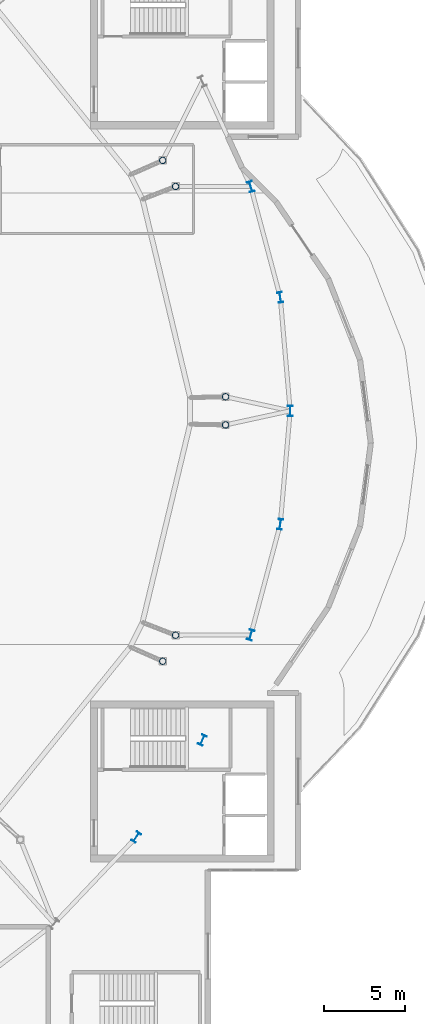
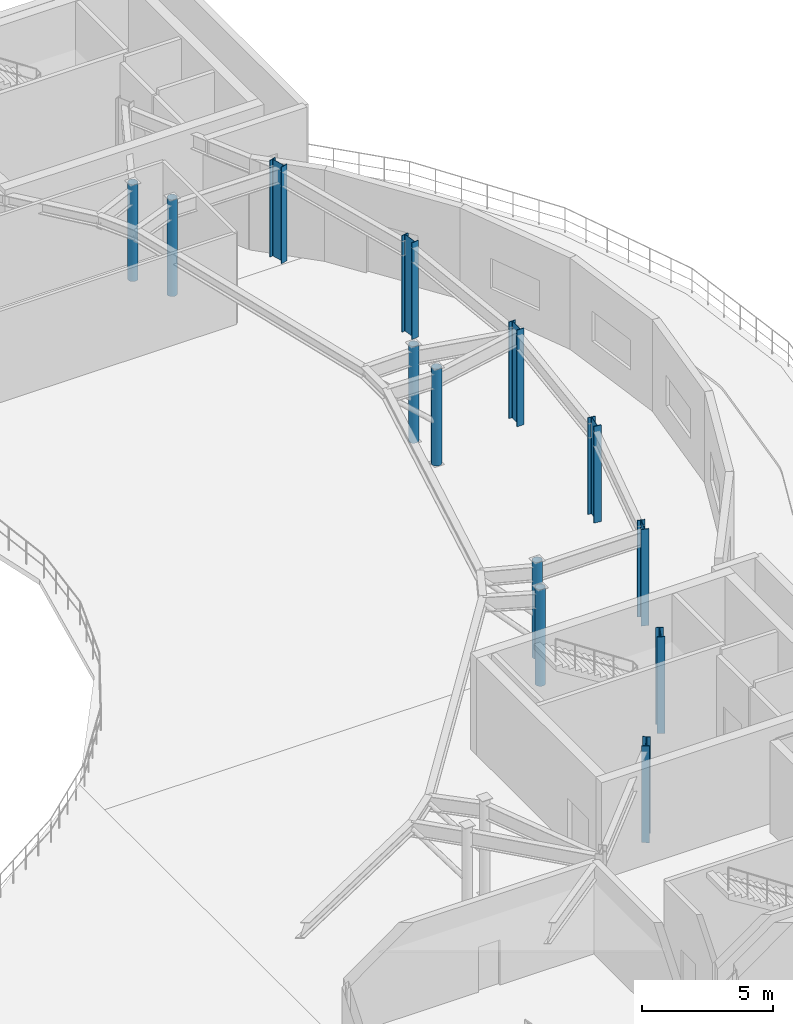
# One storey, part 11 of 48: 13 columns.
"""IFC4 building model written with IfcOpenShell, lengths in metres."""

from ifc_helpers import new_model, si_unit, direction, frame, origin, origin_2d, place, context, subcontext, project, spatial, hollow_circle, i_section, extrude, material, material_profile, profile_set, type_object, element, save


model = new_model("IFC4")

# Units and contexts
model_context = context("Model", 3, precision=1e-05, world=origin(), true_north=direction((0.0, 1.0)))
body_context = subcontext(model_context, "Body", "Model", "MODEL_VIEW")
ifc_project = project(units=[si_unit("LENGTHUNIT", "METRE"), si_unit("AREAUNIT", "SQUARE_METRE"), si_unit("VOLUMEUNIT", "CUBIC_METRE"), si_unit("PLANEANGLEUNIT", "RADIAN"), si_unit("MASSUNIT", "GRAM", prefix="KILO")], contexts=[model_context])

# Site, building, storey
site_placement = place(None, origin())
site = spatial("IfcSite", under=ifc_project, at=site_placement, CompositionType="ELEMENT")
building_placement = place(site_placement, origin())
building = spatial("IfcBuilding", under=site, at=building_placement, Name="Glasvene Arena", CompositionType="ELEMENT")
storey_placement = place(building_placement, frame((0.0, 0.0, 19.5)))
storey = spatial("IfcBuildingStorey", under=building, at=storey_placement, Name="L04", CompositionType="ELEMENT", Elevation=19.5)

# Columns
ifc_material = material(Name="Steel S355J2", Category="steel")
ifc_material_profile_1 = material_profile(ifc_material, i_section(OverallWidth=0.300048828125, OverallDepth=0.64990234375, WebThickness=0.01611328125, FlangeThickness=0.031005859375, FilletRadius=0.027099609375, at=origin_2d()), Name="HEB 650")
ifc_profile_set_1 = profile_set([ifc_material_profile_1], Name="Steel S355J2")
column_type_1 = type_object("IfcColumnType", Name="COL-RING-HEB650", PredefinedType="COLUMN", material=ifc_profile_set_1)
for number, where, z_axis, x_axis, name in (
    (1, (142.0, 73.0, 0.0), (0.0, 0.0, 1.0), (1.0, 0.0, 0.0), "Bowl ring column R01 L04"),
    (2, (141.384521484375, 80.03955078125, 0.0), (0.0, 0.0, 1.0), (0.989999050734, 0.141074021516, 0.0), "Bowl ring column R02 L04"),
    (3, (139.552734375, 86.90576171875, 0.0), (0.0, 0.0, 1.0), (0.959805291975, 0.280666708921, 0.0), "Bowl ring column R03 L04"),
    (4, (132.45068359375, 46.5498046875, 0.0), (0.0, 0.0, 1.0), (0.836955398099, -0.547271104292, 0.0), "Bowl ring column R37 L04"),
    (5, (136.55029296875, 52.5703125, 0.0), (0.0, 0.0, 1.0), (0.909018020308, -0.416756810089, 0.0), "Bowl ring column R38 L04"),
    (6, (139.552734375, 59.09423828125, 0.0), (0.0, 0.0, 1.0), (0.959805291975, -0.280666708921, 0.0), "Bowl ring column R39 L04"),
    (7, (141.384521484375, 65.96044921875, 0.0), (0.0, 0.0, 1.0), (0.989999050734, -0.141074021516, 0.0), "Bowl ring column R40 L04"),
):
    element("IfcColumn", number, at=place(storey_placement, frame(where, z_axis=z_axis, x_axis=x_axis)), inside=storey, type_object=column_type_1, Name=name, PredefinedType="COLUMN", context=body_context, shape_type="SweptSolid", body=[
        extrude(i_section(OverallWidth=0.300048828125, OverallDepth=0.64990234375, WebThickness=0.01611328125, FlangeThickness=0.031005859375, FilletRadius=0.027099609375, at=origin_2d()), origin(), (0.0, 0.0, 1.0), 4.5),
    ])
ifc_material_profile_2 = material_profile(ifc_material, hollow_circle(Radius=0.203125, WallThickness=0.01611328125, at=origin_2d()), Name="CHS 406.4x16.0")
ifc_profile_set_2 = profile_set([ifc_material_profile_2], Name="Steel S355J2")
column_type_2 = type_object("IfcColumnType", Name="COL-W-CHS406", PredefinedType="COLUMN", material=ifc_profile_set_2)
for number, where, z_axis, x_axis, name in (
    (8, (137.98828125, 73.87353515625, 0.0), (0.0, 0.0, 1.0), (1.0, 0.0, 0.0), "Gondola support column L04 01-1"),
    (9, (134.886962890625, 86.922607421875, 0.0), (0.0, 0.0, 1.0), (1.0, 0.0, 0.0), "Gondola support column L04 01-2"),
    (10, (134.088134765625, 88.53662109375, 0.0), (0.0, 0.0, 1.0), (1.0, 0.0, 0.0), "Gondola support column L04 02-1"),
    (11, (134.088134765625, 57.46337890625, 0.0), (0.0, 0.0, 1.0), (1.0, 0.0, 0.0), "Gondola support column L04 15-2"),
    (12, (134.886962890625, 59.077392578125, 0.0), (0.0, 0.0, 1.0), (1.0, 0.0, 0.0), "Gondola support column L04 16-1"),
    (13, (137.98828125, 72.12646484375, 0.0), (0.0, 0.0, 1.0), (1.0, 0.0, 0.0), "Gondola support column L04 16-2"),
):
    element("IfcColumn", number, at=place(storey_placement, frame(where, z_axis=z_axis, x_axis=x_axis)), inside=storey, type_object=column_type_2, Name=name, PredefinedType="COLUMN", context=body_context, shape_type="SweptSolid", body=[
        extrude(hollow_circle(Radius=0.203125, WallThickness=0.01611328125, at=origin_2d()), origin(), (0.0, 0.0, 1.0), 4.5),
    ])

save(model, "model.ifc")
